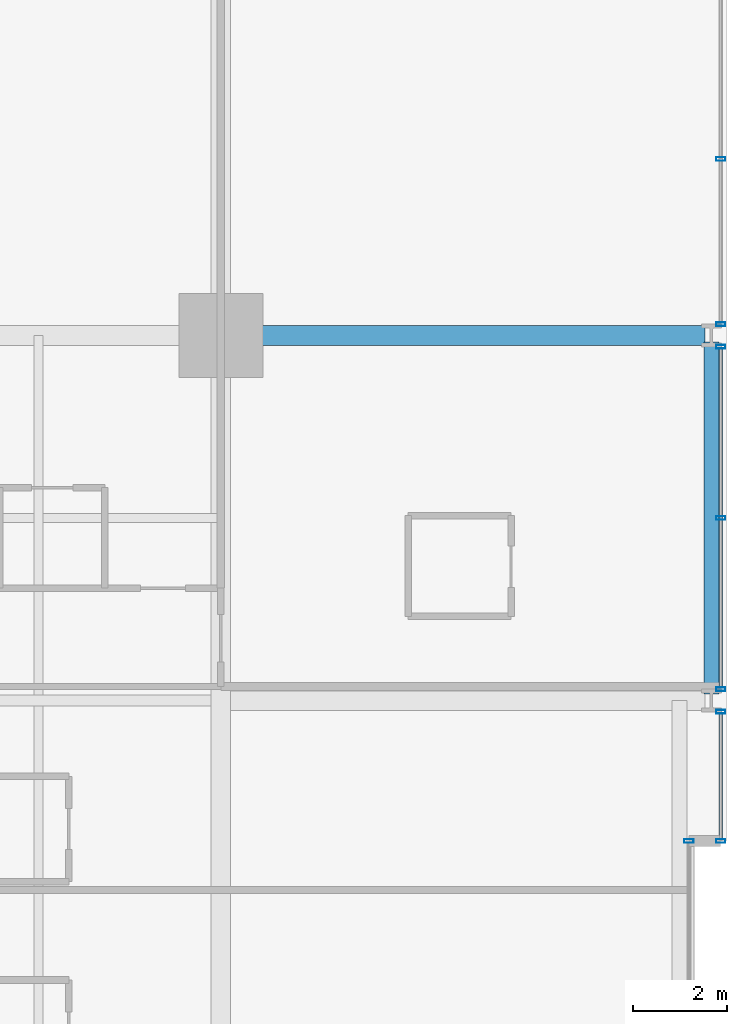
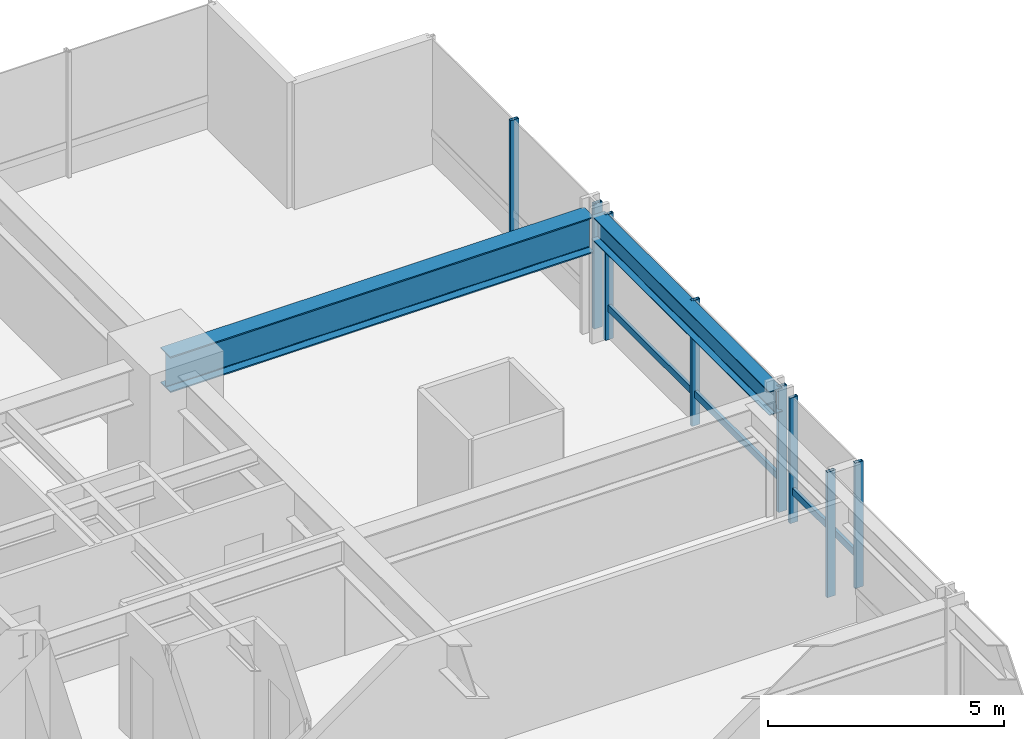
# One storey, part 25 of 39: 10 members, 2 beams, 4 elements without a shape of their own.
"""IFC4 building model written with IfcOpenShell, lengths in metres."""

from ifc_helpers import new_model, si_unit, direction, frame, origin, origin_2d, place, context, subcontext, project, spatial, hollow_rectangle, i_section, extrude, material, layer, layer_set, material_profile, profile_set, type_object, element, aggregate, save


model = new_model("IFC4")

# Units and contexts
model_context = context("Model", 3, precision=1e-05, world=origin(), true_north=direction((0.0, 1.0)))
body_context = subcontext(model_context, "Body", "Model", "MODEL_VIEW")
ifc_project = project(units=[si_unit("LENGTHUNIT", "METRE"), si_unit("AREAUNIT", "SQUARE_METRE"), si_unit("VOLUMEUNIT", "CUBIC_METRE"), si_unit("PLANEANGLEUNIT", "RADIAN"), si_unit("MASSUNIT", "GRAM", prefix="KILO")], contexts=[model_context])

# Site, building, storey
site_placement = place(None, origin())
site = spatial("IfcSite", under=ifc_project, at=site_placement, CompositionType="ELEMENT")
building_placement = place(site_placement, origin())
building = spatial("IfcBuilding", under=site, at=building_placement, Name="Drelvath Grand Hotel", CompositionType="ELEMENT")
storey_placement = place(building_placement, frame((0.0, 0.0, 36.699951171875)))
storey = spatial("IfcBuildingStorey", under=building, at=storey_placement, Name="L07", CompositionType="ELEMENT", Elevation=36.699951171875)

# Curtain wall, member
ifc_material_1 = material(Name="Warm Bronze Anodised Aluminium Frame", Category="aluminium")
ifc_layer = layer(ifc_material_1, 0.199951171875)
ifc_layer_set = layer_set([ifc_layer], Name="Warm Bronze Anodised Aluminium Frame")
curtain_wall_type = type_object("IfcCurtainWallType", Name="Stick Curtain Wall CW-02 Warm Bronze Low-Rise", PredefinedType="NOTDEFINED", material=ifc_layer_set)
curtain_wall_1_placement = place(storey_placement, origin())
curtain_wall_1 = element("IfcCurtainWall", 1, at=curtain_wall_1_placement, inside=storey, type_object=curtain_wall_type, Name="L07 CW-02 Curtain Wall CW02-L07-EN1", PredefinedType="NOTDEFINED")
ifc_material_profile_1 = material_profile(ifc_material_1, hollow_rectangle(XDim=0.074951171875, YDim=0.179931640625, WallThickness=0.0048828125, at=origin_2d()), Name="HSS180X75X5")
ifc_profile_set_1 = profile_set([ifc_material_profile_1], Name="Warm Bronze Anodised Aluminium Frame")
member_type_1 = type_object("IfcMemberType", Name="Curtain Wall Horizontal Transom CW-02 HSS180X75X5", PredefinedType="USERDEFINED", material=ifc_profile_set_1)
member_1_placement = place(storey_placement, frame((26.8798828125, 35.119140625, 0.81005859375), z_axis=(0.0, -1.0, 0.0), x_axis=(1.0, 0.0, 0.0)))
member_1 = element("IfcMember", 2, at=member_1_placement, type_object=member_type_1, Name="CW02-L07-EN1 Sill Transom", ObjectType="TRANSOM", PredefinedType="USERDEFINED", context=body_context, shape_type="SweptSolid", body=[
    extrude(hollow_rectangle(XDim=0.074951171875, YDim=0.179931640625, WallThickness=0.0048828125, at=origin_2d()), origin(), (0.0, 0.0, 1.0), 2.67919921875),
])

curtain_wall_2_placement = place(storey_placement, origin())
curtain_wall_2 = element("IfcCurtainWall", 3, at=curtain_wall_2_placement, inside=storey, type_object=curtain_wall_type, Name="L07 CW-02 Curtain Wall CW02-L07-EN2", PredefinedType="NOTDEFINED")
member_2_placement = place(storey_placement, frame((26.8798828125, 42.919189453125, 0.81005859375), z_axis=(0.0, -1.0, 0.0), x_axis=(1.0, 0.0, 0.0)))
member_2 = element("IfcMember", 4, at=member_2_placement, type_object=member_type_1, Name="CW02-L07-EN2 Sill Transom", ObjectType="TRANSOM", PredefinedType="USERDEFINED", context=body_context, shape_type="SweptSolid", body=[
    extrude(hollow_rectangle(XDim=0.074951171875, YDim=0.179931640625, WallThickness=0.0048828125, at=origin_2d()), origin(), (0.0, 0.0, 1.0), 7.23828125),
])

# Member
ifc_material_profile_2 = material_profile(ifc_material_1, hollow_rectangle(XDim=0.080078125, YDim=0.199951171875, WallThickness=0.0048828125, at=origin_2d()), Name="HSS200X80X5")
ifc_profile_set_2 = profile_set([ifc_material_profile_2], Name="Warm Bronze Anodised Aluminium Frame")
member_type_2 = type_object("IfcMemberType", Name="Curtain Wall Vertical Mullion CW-02 HSS200X80X5", PredefinedType="MULLION", material=ifc_profile_set_2)
member_3_placement = place(storey_placement, frame((26.8798828125, 35.1591796875, 0.0), z_axis=(0.0, 0.0, 1.0), x_axis=(0.0, 1.0, 0.0)))
member_3 = element("IfcMember", 5, at=member_3_placement, type_object=member_type_2, Name="CW02-L07-EN1 Mullion 1", PredefinedType="MULLION", context=body_context, shape_type="SweptSolid", body=[
    extrude(hollow_rectangle(XDim=0.080078125, YDim=0.199951171875, WallThickness=0.0048828125, at=origin_2d()), origin(), (0.0, 0.0, 1.0), 3.239990234375),
])

member_4_placement = place(storey_placement, frame((26.8798828125, 32.39990234375, 0.0), z_axis=(0.0, 0.0, 1.0), x_axis=(0.0, 1.0, 0.0)))
member_4 = element("IfcMember", 6, at=member_4_placement, type_object=member_type_2, Name="CW02-L07-EN1 Mullion 2", PredefinedType="MULLION", context=body_context, shape_type="SweptSolid", body=[
    extrude(hollow_rectangle(XDim=0.080078125, YDim=0.199951171875, WallThickness=0.0048828125, at=origin_2d()), origin(), (0.0, 0.0, 1.0), 3.239990234375),
])

aggregate(curtain_wall_1, [member_3, member_4, member_1])

member_5_placement = place(storey_placement, frame((26.8798828125, 42.958984375, 0.0), z_axis=(0.0, 0.0, 1.0), x_axis=(0.0, 1.0, 0.0)))
member_5 = element("IfcMember", 7, at=member_5_placement, type_object=member_type_2, Name="CW02-L07-EN2 Mullion 1", PredefinedType="MULLION", context=body_context, shape_type="SweptSolid", body=[
    extrude(hollow_rectangle(XDim=0.080078125, YDim=0.199951171875, WallThickness=0.0048828125, at=origin_2d()), origin(), (0.0, 0.0, 1.0), 3.239990234375),
])

member_6_placement = place(storey_placement, frame((26.8798828125, 39.300048828125, 0.0), z_axis=(0.0, 0.0, 1.0), x_axis=(0.0, 1.0, 0.0)))
member_6 = element("IfcMember", 8, at=member_6_placement, type_object=member_type_2, Name="CW02-L07-EN2 Mullion 2", PredefinedType="MULLION", context=body_context, shape_type="SweptSolid", body=[
    extrude(hollow_rectangle(XDim=0.080078125, YDim=0.199951171875, WallThickness=0.0048828125, at=origin_2d()), origin(), (0.0, 0.0, 1.0), 3.239990234375),
])

member_7_placement = place(storey_placement, frame((26.8798828125, 35.640869140625, 0.0), z_axis=(0.0, 0.0, 1.0), x_axis=(0.0, 1.0, 0.0)))
member_7 = element("IfcMember", 9, at=member_7_placement, type_object=member_type_2, Name="CW02-L07-EN2 Mullion 3", PredefinedType="MULLION", context=body_context, shape_type="SweptSolid", body=[
    extrude(hollow_rectangle(XDim=0.080078125, YDim=0.199951171875, WallThickness=0.0048828125, at=origin_2d()), origin(), (0.0, 0.0, 1.0), 3.239990234375),
])

aggregate(curtain_wall_2, [member_5, member_6, member_7, member_2])

# Curtain wall, members
curtain_wall_3_placement = place(storey_placement, origin())
curtain_wall_3 = element("IfcCurtainWall", 10, at=curtain_wall_3_placement, inside=storey, type_object=curtain_wall_type, Name="L07 CW-02 Curtain Wall CW02-L07-EN3", PredefinedType="NOTDEFINED")
member_8_placement = place(storey_placement, frame((26.8798828125, 46.970458984375, 0.0), z_axis=(0.0, 0.0, 1.0), x_axis=(0.0, 1.0, 0.0)))
member_8 = element("IfcMember", 11, at=member_8_placement, type_object=member_type_2, Name="CW02-L07-EN3 Mullion 2", PredefinedType="MULLION", context=body_context, shape_type="SweptSolid", body=[
    extrude(hollow_rectangle(XDim=0.080078125, YDim=0.199951171875, WallThickness=0.0048828125, at=origin_2d()), origin(), (0.0, 0.0, 1.0), 3.239990234375),
])
member_9_placement = place(storey_placement, frame((26.8798828125, 43.44091796875, 0.0), z_axis=(0.0, 0.0, 1.0), x_axis=(0.0, 1.0, 0.0)))
member_9 = element("IfcMember", 12, at=member_9_placement, type_object=member_type_2, Name="CW02-L07-EN3 Mullion 3", PredefinedType="MULLION", context=body_context, shape_type="SweptSolid", body=[
    extrude(hollow_rectangle(XDim=0.080078125, YDim=0.199951171875, WallThickness=0.0048828125, at=origin_2d()), origin(), (0.0, 0.0, 1.0), 3.239990234375),
])
aggregate(curtain_wall_3, [member_8, member_9])

# Curtain wall, member
curtain_wall_4_placement = place(storey_placement, origin())
curtain_wall_4 = element("IfcCurtainWall", 13, at=curtain_wall_4_placement, inside=storey, type_object=curtain_wall_type, Name="L07 CW-02 Curtain Wall CW02-L07-EM2", PredefinedType="NOTDEFINED")
member_10_placement = place(storey_placement, frame((26.199951171875, 32.39990234375, 0.0), z_axis=(0.0, 0.0, 1.0), x_axis=(0.0, 1.0, 0.0)))
member_10 = element("IfcMember", 14, at=member_10_placement, type_object=member_type_2, Name="CW02-L07-EM2 Mullion 1", PredefinedType="MULLION", context=body_context, shape_type="SweptSolid", body=[
    extrude(hollow_rectangle(XDim=0.080078125, YDim=0.199951171875, WallThickness=0.0048828125, at=origin_2d()), origin(), (0.0, 0.0, 1.0), 3.239990234375),
])
aggregate(curtain_wall_4, [member_10])

# Beams
ifc_material_2 = material(Name="Steel ASTM A992 Gr 50", Category="steel")
ifc_material_profile_3 = material_profile(ifc_material_2, i_section(OverallWidth=0.323974609375, OverallDepth=0.611083984375, WebThickness=0.0126953125, FlangeThickness=0.01904296875, FilletRadius=0.02197265625, at=origin_2d()), Name="W24X104")
ifc_profile_set_3 = profile_set([ifc_material_profile_3], Name="Steel ASTM A992 Gr 50")
beam_type_1 = type_object("IfcBeamType", Name="Perimeter Spandrel Beam W24X104", PredefinedType="SPANDREL", material=ifc_profile_set_3)
beam_1_placement = place(storey_placement, frame((26.679931640625, 35.5400390625, 2.9345703125), z_axis=(0.0, 1.0, 0.0), x_axis=(-1.0, 0.0, 0.0)))
element("IfcBeam", 15, at=beam_1_placement, inside=storey, type_object=beam_type_1, Name="L07 Spandrel East N", PredefinedType="SPANDREL", context=body_context, shape_type="SweptSolid", body=[
    extrude(i_section(OverallWidth=0.323974609375, OverallDepth=0.611083984375, WebThickness=0.0126953125, FlangeThickness=0.01904296875, FilletRadius=0.02197265625, at=origin_2d()), origin(), (0.0, 0.0, 1.0), 7.52001953125),
])
ifc_material_profile_4 = material_profile(ifc_material_2, i_section(OverallWidth=0.418212890625, OverallDepth=0.926513671875, WebThickness=0.019287109375, FlangeThickness=0.031982421875, FilletRadius=0.028076171875, at=origin_2d()), Name="W36X231")
ifc_profile_set_4 = profile_set([ifc_material_profile_4], Name="Steel ASTM A992 Gr 50")
beam_type_2 = type_object("IfcBeamType", Name="Primary Floor Girder W36X231", PredefinedType="BEAM", material=ifc_profile_set_4)
beam_2_placement = place(storey_placement, frame((16.199951171875, 43.199951171875, 2.77685546875), z_axis=(1.0, 0.0, 0.0), x_axis=(0.0, 1.0, 0.0)))
element("IfcBeam", 16, at=beam_2_placement, inside=storey, type_object=beam_type_2, Name="L07 East Grid Girder G", PredefinedType="BEAM", context=body_context, shape_type="SweptSolid", body=[
    extrude(i_section(OverallWidth=0.418212890625, OverallDepth=0.926513671875, WebThickness=0.019287109375, FlangeThickness=0.031982421875, FilletRadius=0.028076171875, at=origin_2d()), origin(), (0.0, 0.0, 1.0), 10.340087890625),
])

save(model, "model.ifc")
